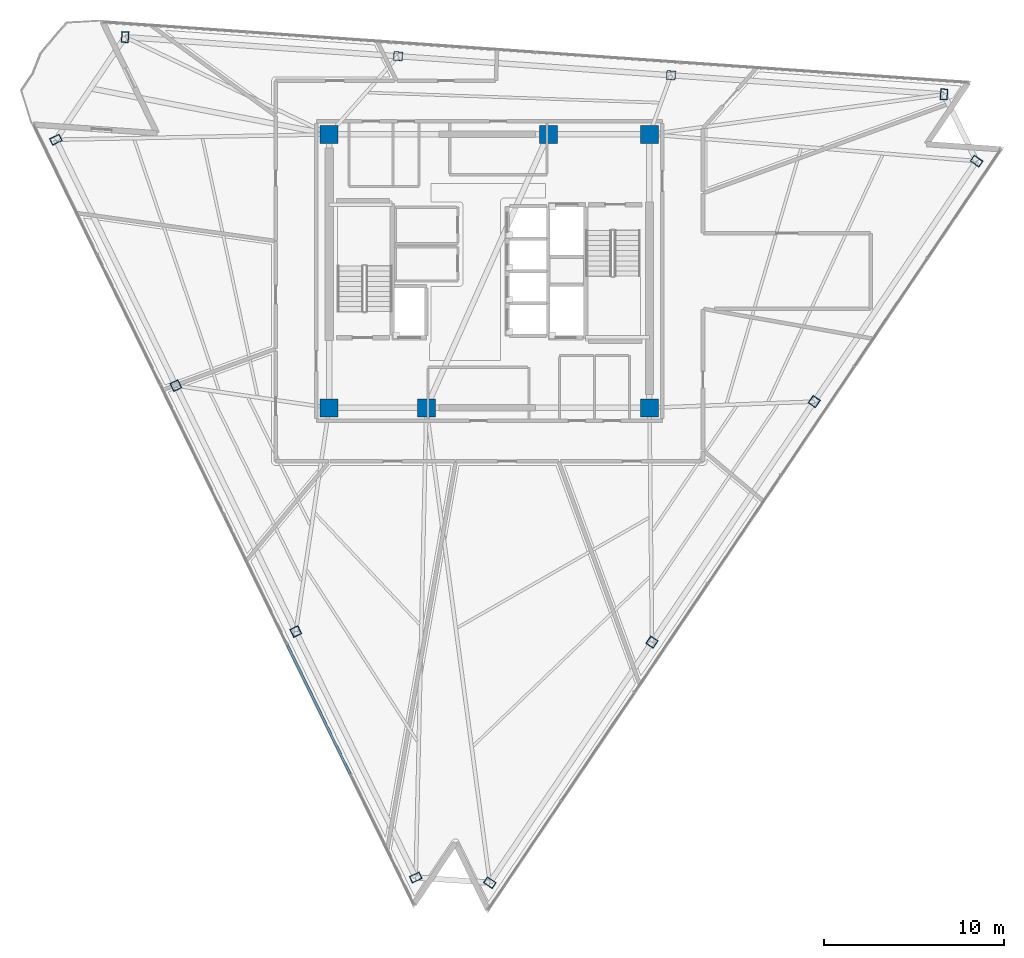
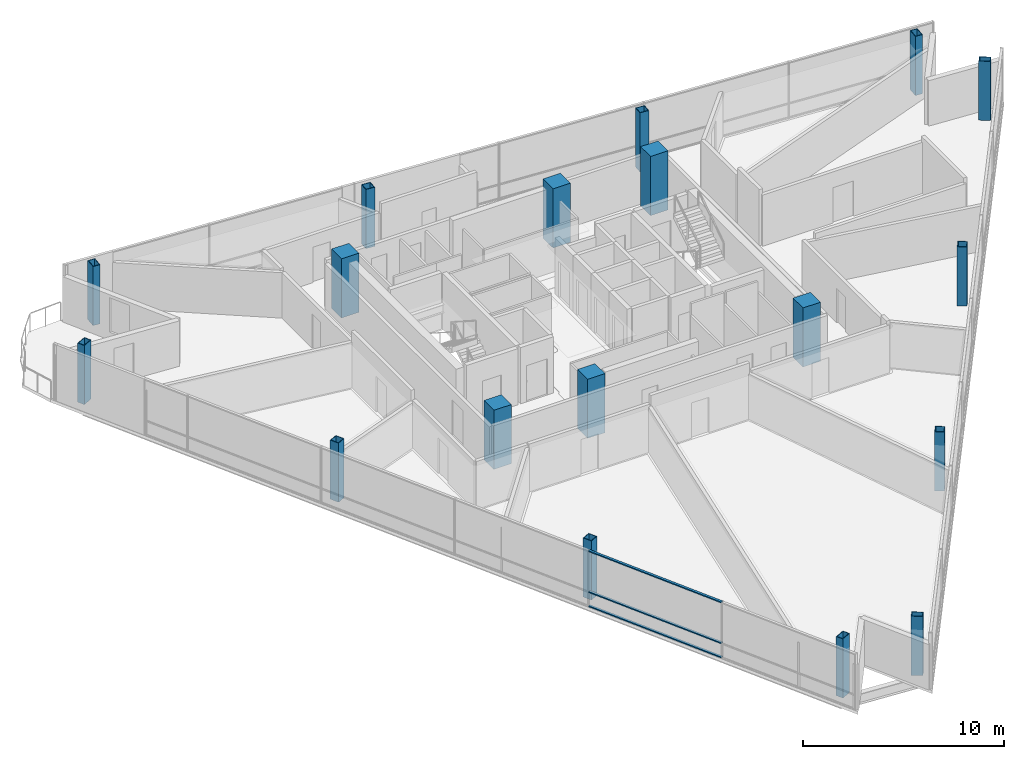
# One storey, part 1 of 14: 18 columns, 3 members, 1 element without a shape of its own.
"""IFC4 building model written with IfcOpenShell, lengths in metres."""

from ifc_helpers import new_model, si_unit, direction, frame, origin, origin_2d, place, context, subcontext, project, spatial, rectangle, hollow_rectangle, extrude, material, layer, layer_set, material_profile, profile_set, type_object, element, aggregate, save


model = new_model("IFC4")

# Units and contexts
model_context = context("Model", 3, precision=1e-05, world=origin(), true_north=direction((0.0, 1.0)))
body_context = subcontext(model_context, "Body", "Model", "MODEL_VIEW")
ifc_project = project(units=[si_unit("LENGTHUNIT", "METRE"), si_unit("AREAUNIT", "SQUARE_METRE"), si_unit("VOLUMEUNIT", "CUBIC_METRE"), si_unit("PLANEANGLEUNIT", "RADIAN"), si_unit("MASSUNIT", "GRAM", prefix="KILO")], contexts=[model_context])

# Site, building, storey
site_placement = place(None, origin())
site = spatial("IfcSite", under=ifc_project, at=site_placement, CompositionType="ELEMENT")
building_placement = place(site_placement, origin())
building = spatial("IfcBuilding", under=site, at=building_placement, Name="Tharavind Bronze Gate", CompositionType="ELEMENT")
storey_placement = place(building_placement, frame((0.0, 0.0, 237.85009765625)))
storey = spatial("IfcBuildingStorey", under=building, at=storey_placement, Name="L61", CompositionType="ELEMENT", Elevation=237.85009765625)

# Columns
ifc_material_1 = material(Name="Steel S460", Category="steel")
ifc_material_profile_1 = material_profile(ifc_material_1, hollow_rectangle(XDim=0.39990234375, YDim=0.60009765625, WallThickness=0.030029296875, at=origin_2d()), Name="RHS600X400X30")
ifc_profile_set_1 = profile_set([ifc_material_profile_1], Name="Steel S460")
column_type_1 = type_object("IfcColumnType", Name="CORNER NOTCH COLUMN RHS600X400", PredefinedType="COLUMN", material=ifc_profile_set_1)
for number, where, z_axis, x_axis, name in (
    (1, (-24.093505859375, 7.302001953125, 0.0), (0.0, 0.0, 1.0), (-0.438371146789, 0.898794046299, 0.0), "L61 perimeter column S1C1"),
    (2, (-4.090576171875, -33.710205078125, 0.0), (0.0, 0.0, 1.0), (-0.438371146789, 0.898794046299, 0.0), "L61 perimeter column S1C4"),
    (3, (0.02734375, -33.998046875, 0.0), (0.0, 0.0, 1.0), (0.559194350413, 0.829036596578, 0.0), "L61 perimeter column S2C1"),
    (4, (27.082275390625, 6.112548828125, 0.0), (0.0, 0.0, 1.0), (0.559194350413, 0.829036596578, 0.0), "L61 perimeter column S2C4"),
    (5, (25.272705078125, 9.82275390625, 0.0), (0.0, 0.0, 1.0), (-0.99756405026, 0.069756473744, 0.0), "L61 perimeter column S3C1"),
    (6, (-20.246337890625, 13.005615234375, 0.0), (0.0, 0.0, 1.0), (-0.99756405026, 0.069756473744, 0.0), "L61 perimeter column S3C4"),
):
    element("IfcColumn", number, at=place(storey_placement, frame(where, z_axis=z_axis, x_axis=x_axis)), inside=storey, type_object=column_type_1, Name=name, PredefinedType="COLUMN", context=body_context, shape_type="SweptSolid", body=[
        extrude(hollow_rectangle(XDim=0.39990234375, YDim=0.60009765625, WallThickness=0.030029296875, at=origin_2d()), origin(), (0.0, 0.0, 1.0), 3.599853515625),
    ])
ifc_material_2 = material(Name="Concrete C50/60", Category="concrete")
ifc_material_profile_2 = material_profile(ifc_material_2, rectangle(XDim=1.0, YDim=1.0, at=origin_2d()), Name="RCCOL1000")
ifc_profile_set_2 = profile_set([ifc_material_profile_2], Name="Concrete C50/60")
column_type_2 = type_object("IfcColumnType", Name="MEGA CORE COLUMN 1000", PredefinedType="COLUMN", material=ifc_profile_set_2)
for number, where, z_axis, x_axis, name in (
    (7, (-8.89990234375, -7.60009765625, 0.0), (0.0, 0.0, 1.0), (1.0, 0.0, 0.0), "L61 core mega column MC1"),
    (8, (-3.5, -7.60009765625, 0.0), (0.0, 0.0, 1.0), (1.0, 0.0, 0.0), "L61 core mega column MC2"),
    (9, (8.89990234375, -7.60009765625, 0.0), (0.0, 0.0, 1.0), (1.0, 0.0, 0.0), "L61 core mega column MC3"),
    (10, (8.89990234375, 7.60009765625, 0.0), (0.0, 0.0, 1.0), (1.0, 0.0, 0.0), "L61 core mega column MC4"),
    (11, (3.280029296875, 7.60009765625, 0.0), (0.0, 0.0, 1.0), (1.0, 0.0, 0.0), "L61 core mega column MC5"),
    (12, (-8.89990234375, 7.60009765625, 0.0), (0.0, 0.0, 1.0), (1.0, 0.0, 0.0), "L61 core mega column MC6"),
):
    element("IfcColumn", number, at=place(storey_placement, frame(where, z_axis=z_axis, x_axis=x_axis)), inside=storey, type_object=column_type_2, Name=name, PredefinedType="COLUMN", context=body_context, shape_type="SweptSolid", body=[
        extrude(rectangle(XDim=1.0, YDim=1.0, at=origin_2d()), origin(), (0.0, 0.0, 1.0), 3.599853515625),
    ])
ifc_material_profile_3 = material_profile(ifc_material_1, hollow_rectangle(XDim=0.5, YDim=0.5, WallThickness=0.031982421875, at=origin_2d()), Name="SHS500X32")
ifc_profile_set_3 = profile_set([ifc_material_profile_3], Name="Steel S460")
column_type_3 = type_object("IfcColumnType", Name="PERIMETER BOX COLUMN SHS500", PredefinedType="COLUMN", material=ifc_profile_set_3)
for number, where, z_axis, x_axis, name in (
    (13, (-17.42578125, -6.368896484375, 0.0), (0.0, 0.0, 1.0), (-0.438371146789, 0.898794046299, 0.0), "L61 perimeter column S1C2"),
    (14, (-10.75830078125, -20.039306640625, 0.0), (0.0, 0.0, 1.0), (-0.438371146789, 0.898794046299, 0.0), "L61 perimeter column S1C3"),
    (15, (9.045654296875, -20.627685546875, 0.0), (0.0, 0.0, 1.0), (0.559194350413, 0.829036596578, 0.0), "L61 perimeter column S2C2"),
    (16, (18.06396484375, -7.2578125, 0.0), (0.0, 0.0, 1.0), (0.559194350413, 0.829036596578, 0.0), "L61 perimeter column S2C3"),
    (17, (10.099609375, 10.8837890625, 0.0), (0.0, 0.0, 1.0), (-0.99756405026, 0.069756473744, 0.0), "L61 perimeter column S3C2"),
    (18, (-5.0732421875, 11.944580078125, 0.0), (0.0, 0.0, 1.0), (-0.99756405026, 0.069756473744, 0.0), "L61 perimeter column S3C3"),
):
    element("IfcColumn", number, at=place(storey_placement, frame(where, z_axis=z_axis, x_axis=x_axis)), inside=storey, type_object=column_type_3, Name=name, PredefinedType="COLUMN", context=body_context, shape_type="SweptSolid", body=[
        extrude(hollow_rectangle(XDim=0.5, YDim=0.5, WallThickness=0.031982421875, at=origin_2d()), origin(), (0.0, 0.0, 1.0), 3.599853515625),
    ])

# Curtain wall, members
ifc_material_3 = material(Name="Anodised Bronze Aluminium", Category="aluminium")
ifc_layer = layer(ifc_material_3, 0.219970703125)
ifc_layer_set = layer_set([ifc_layer], Name="Anodised Bronze Aluminium")
curtain_wall_type = type_object("IfcCurtainWallType", Name="UNITISED CURTAIN WALL UPPER OFFICE", PredefinedType="USERDEFINED", material=ifc_layer_set)
curtain_wall_placement = place(storey_placement, origin())
curtain_wall = element("IfcCurtainWall", 19, at=curtain_wall_placement, inside=storey, type_object=curtain_wall_type, Name="L61 unitised curtain wall upper office CW-L61-S1", ObjectType="UNITISED CURTAIN WALL", PredefinedType="USERDEFINED")
member_type = type_object("IfcMemberType", Name="CURTAIN WALL BRONZE TRANSOM 65X140", PredefinedType="USERDEFINED", material=ifc_material_3)
member_1_placement = place(storey_placement, frame((-9.480712890625, -24.36962890625, 0.0), z_axis=(0.0, 0.0, 1.0), x_axis=(0.438371146789, -0.898794046299, 0.0)))
member_1 = element("IfcMember", 20, at=member_1_placement, type_object=member_type, Name="CW-L61-S1 transom TB5", ObjectType="TRANSOM", PredefinedType="USERDEFINED", context=body_context, shape_type="SweptSolid", body=[
    extrude(rectangle(XDim=7.985107421875, YDim=0.139892578125, at=origin_2d()), origin(), (0.0, 0.0, 1.0), 0.06494140625),
])
member_2_placement = place(storey_placement, frame((-9.480712890625, -24.36962890625, 0.867431640625), z_axis=(0.0, 0.0, 1.0), x_axis=(0.438371146789, -0.898794046299, 0.0)))
member_2 = element("IfcMember", 21, at=member_2_placement, type_object=member_type, Name="CW-L61-S1 transom TS5", ObjectType="TRANSOM", PredefinedType="USERDEFINED", context=body_context, shape_type="SweptSolid", body=[
    extrude(rectangle(XDim=7.985107421875, YDim=0.139892578125, at=origin_2d()), origin(), (0.0, 0.0, 1.0), 0.06494140625),
])
member_3_placement = place(storey_placement, frame((-9.480712890625, -24.36962890625, 3.35498046875), z_axis=(0.0, 0.0, 1.0), x_axis=(0.438371146789, -0.898794046299, 0.0)))
member_3 = element("IfcMember", 22, at=member_3_placement, type_object=member_type, Name="CW-L61-S1 transom TT5", ObjectType="TRANSOM", PredefinedType="USERDEFINED", context=body_context, shape_type="SweptSolid", body=[
    extrude(rectangle(XDim=7.985107421875, YDim=0.139892578125, at=origin_2d()), origin(), (0.0, 0.0, 1.0), 0.06494140625),
])
aggregate(curtain_wall, [member_1, member_2, member_3])

save(model, "model.ifc")
